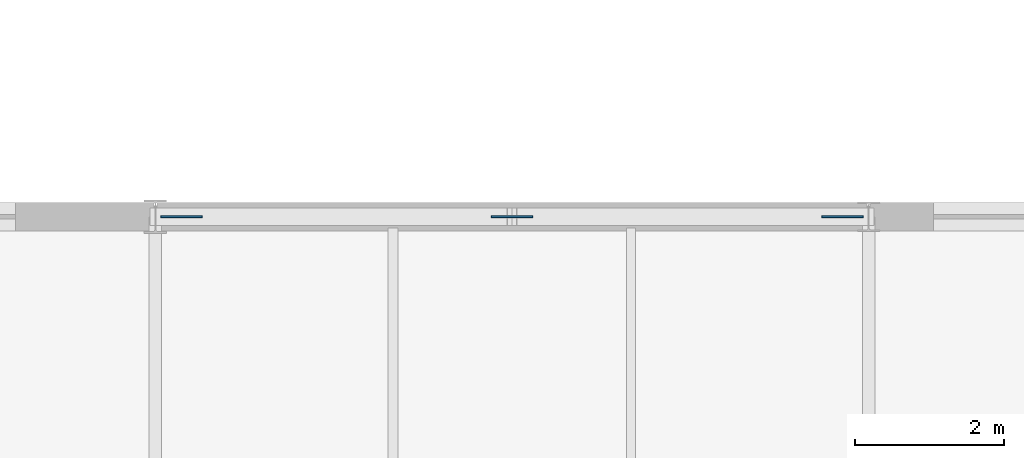
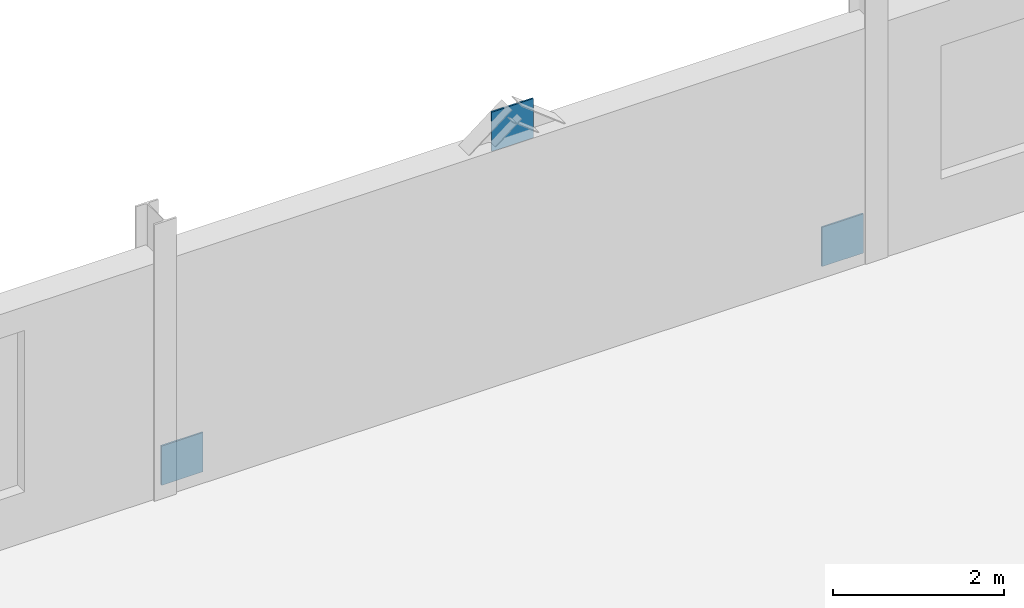
# One storey, part 70 of 85: 3 plates.
"""IFC4 building model written with IfcOpenShell, lengths in metres."""

from ifc_helpers import new_model, si_unit, direction, frame, origin, origin_2d, place, context, subcontext, project, spatial, rectangle, extrude, material, layer, layer_set, type_object, element, save


model = new_model("IFC4")

# Units and contexts
model_context = context("Model", 3, precision=1e-05, world=origin(), true_north=direction((0.0, 1.0)))
body_context = subcontext(model_context, "Body", "Model", "MODEL_VIEW")
ifc_project = project(units=[si_unit("LENGTHUNIT", "METRE"), si_unit("AREAUNIT", "SQUARE_METRE"), si_unit("VOLUMEUNIT", "CUBIC_METRE"), si_unit("PLANEANGLEUNIT", "RADIAN"), si_unit("MASSUNIT", "GRAM", prefix="KILO")], contexts=[model_context])

# Site, building, storey
site_placement = place(None, origin())
site = spatial("IfcSite", under=ifc_project, at=site_placement, CompositionType="ELEMENT")
building_placement = place(site_placement, origin())
building = spatial("IfcBuilding", under=site, at=building_placement, Name="Alderhovde Museum", CompositionType="ELEMENT")
storey_placement = place(building_placement, frame((0.0, 0.0, 8.699951171875)))
storey = spatial("IfcBuildingStorey", under=building, at=storey_placement, Name="L02", CompositionType="ELEMENT", Elevation=8.699951171875)

# Plates
ifc_material = material(Name="Steel S355J2", Category="steel")
ifc_layer = layer(ifc_material, 0.02197265625)
ifc_layer_set = layer_set([ifc_layer], Name="Steel S355J2")
plate_type = type_object("IfcPlateType", Name="PLT-GUSSET-22", PredefinedType="USERDEFINED", material=ifc_layer_set)
for number, where, z_axis, x_axis, name in (
    (1, (125.14990234375, 96.0, 0.02001953125), (0.0, 0.0, 1.0), (1.0, 0.0, 0.0), "L02 Brace End Gusset Plate BR-V5-N-BL"),
    (2, (134.050048828125, 96.0, 0.02001953125), (0.0, 0.0, 1.0), (1.0, 0.0, 0.0), "L02 Brace End Gusset Plate BR-V5-N-BR"),
    (3, (129.60009765625, 96.0, 3.219970703125), (0.0, 0.0, 1.0), (1.0, 0.0, 0.0), "L02 Brace End Gusset Plate BR-V5-N-APX"),
):
    element("IfcPlate", number, at=place(storey_placement, frame(where, z_axis=z_axis, x_axis=x_axis)), inside=storey, type_object=plate_type, Name=name, ObjectType="GUSSET PLATE", PredefinedType="USERDEFINED", context=body_context, shape_type="SweptSolid", body=[
        extrude(rectangle(XDim=0.56005859375, YDim=0.02197265625, at=origin_2d()), origin(), (0.0, 0.0, 1.0), 0.56005859375),
    ])

save(model, "model.ifc")
